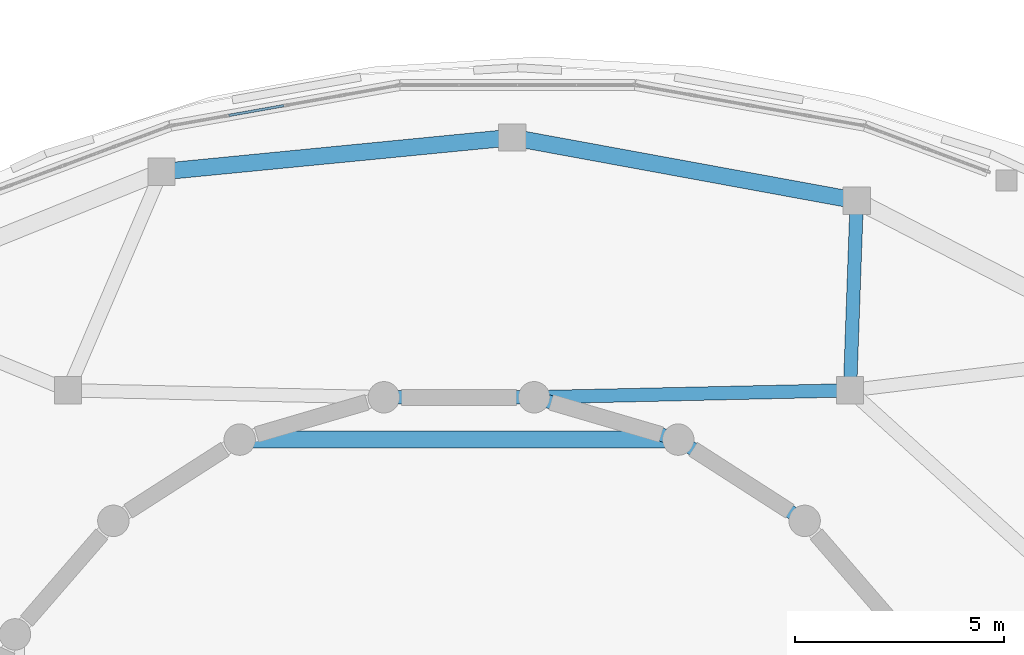
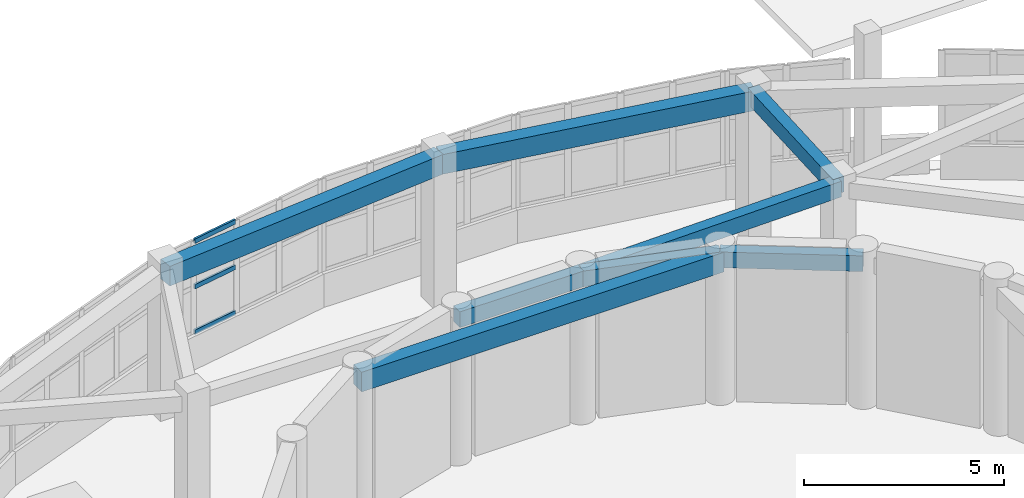
# One storey, part 59 of 105: 8 beams, 3 members, 1 element without a shape of its own.
"""IFC4 building model written with IfcOpenShell, lengths in metres."""

from ifc_helpers import new_model, si_unit, direction, frame, origin, origin_2d, place, context, subcontext, project, spatial, rectangle, hollow_rectangle, extrude, material, layer, layer_set, material_profile, profile_set, type_object, element, aggregate, save


model = new_model("IFC4")

# Units and contexts
model_context = context("Model", 3, precision=1e-05, world=origin(), true_north=direction((0.0, 1.0)))
body_context = subcontext(model_context, "Body", "Model", "MODEL_VIEW")
ifc_project = project(units=[si_unit("LENGTHUNIT", "METRE"), si_unit("AREAUNIT", "SQUARE_METRE"), si_unit("VOLUMEUNIT", "CUBIC_METRE"), si_unit("PLANEANGLEUNIT", "RADIAN"), si_unit("MASSUNIT", "GRAM", prefix="KILO")], contexts=[model_context])

# Site, building, storey
site_placement = place(None, origin())
site = spatial("IfcSite", under=ifc_project, at=site_placement, CompositionType="ELEMENT")
building_placement = place(site_placement, origin())
building = spatial("IfcBuilding", under=site, at=building_placement, Name="Pelvatis Terrace Science Centre", CompositionType="ELEMENT")
storey_placement = place(building_placement, frame((0.0, 0.0, 10.199951171875)))
storey = spatial("IfcBuildingStorey", under=building, at=storey_placement, Name="L02", CompositionType="ELEMENT", Elevation=10.199951171875)

# Beams
ifc_material_1 = material(Name="Concrete C35/45", Category="concrete")
ifc_material_profile_1 = material_profile(ifc_material_1, rectangle(XDim=0.320068359375, YDim=0.47998046875, at=origin_2d()), Name="RC-BM 320x480")
ifc_profile_set_1 = profile_set([ifc_material_profile_1], Name="Concrete C35/45")
beam_type_1 = type_object("IfcBeamType", Name="BM-RC-320x480", PredefinedType="BEAM", material=ifc_profile_set_1)
beam_1_placement = place(storey_placement, frame((117.451171875, 95.322509765625, 4.300048828125), z_axis=(-0.841253667692, 0.540640607607, 0.0), x_axis=(-0.540640607607, -0.841253667692, 0.0)))
element("IfcBeam", 1, at=beam_1_placement, inside=storey, type_object=beam_type_1, Name="Beam BM-L02-2850", PredefinedType="BEAM", context=body_context, shape_type="SweptSolid", body=[
    extrude(rectangle(XDim=0.320068359375, YDim=0.47998046875, at=origin_2d()), origin(), (0.0, 0.0, 1.0), 3.58642578125),
])
beam_2_placement = place(storey_placement, frame((114.43408203125, 97.261474609375, 4.300048828125), z_axis=(-0.959499815423, 0.281709254734, 0.0), x_axis=(-0.281709254734, -0.959499815423, 0.0)))
element("IfcBeam", 2, at=beam_2_placement, inside=storey, type_object=beam_type_1, Name="Beam BM-L02-2851", PredefinedType="BEAM", context=body_context, shape_type="SweptSolid", body=[
    extrude(rectangle(XDim=0.320068359375, YDim=0.47998046875, at=origin_2d()), origin(), (0.0, 0.0, 1.0), 3.586181640625),
])
beam_3_placement = place(storey_placement, frame((110.9931640625, 98.271728515625, 4.300048828125), z_axis=(-1.0, 0.0, 0.0), x_axis=(0.0, -1.0, 0.0)))
element("IfcBeam", 3, at=beam_3_placement, inside=storey, type_object=beam_type_1, Name="Beam BM-L02-2853", PredefinedType="BEAM", context=body_context, shape_type="SweptSolid", body=[
    extrude(rectangle(XDim=0.320068359375, YDim=0.47998046875, at=origin_2d()), origin(), (0.0, 0.0, 1.0), 3.58642578125),
])
beam_4_placement = place(storey_placement, frame((110.9931640625, 98.271728515625, 4.300048828125), z_axis=(0.999756299377, 0.022075820636, 0.0), x_axis=(-0.022075820636, 0.999756299377, 0.0)))
element("IfcBeam", 4, at=beam_4_placement, inside=storey, type_object=beam_type_1, Name="Beam BM-L02-2854", PredefinedType="BEAM", context=body_context, shape_type="SweptSolid", body=[
    extrude(rectangle(XDim=0.320068359375, YDim=0.47998046875, at=origin_2d()), origin(), (0.0, 0.0, 1.0), 7.54248046875),
])
beam_5_placement = place(storey_placement, frame((118.69482421875, 102.9658203125, 4.300048828125), z_axis=(-0.035566590656, -0.999367308665, 0.0), x_axis=(0.999367308665, -0.035566590656, 0.0)))
element("IfcBeam", 5, at=beam_5_placement, inside=storey, type_object=beam_type_1, Name="Beam BM-L02-2901", PredefinedType="BEAM", context=body_context, shape_type="SweptSolid", body=[
    extrude(rectangle(XDim=0.320068359375, YDim=0.47998046875, at=origin_2d()), origin(), (0.0, 0.0, 1.0), 4.530517578125),
])
ifc_material_2 = material(Name="Concrete C35/45", Category="concrete")
ifc_material_profile_2 = material_profile(ifc_material_2, rectangle(XDim=0.39990234375, YDim=0.60009765625, at=origin_2d()), Name="RC-BM 400x600")
ifc_profile_set_2 = profile_set([ifc_material_profile_2], Name="Concrete C35/45")
beam_type_2 = type_object("IfcBeamType", Name="BM-RC-400x600", PredefinedType="BEAM", material=ifc_profile_set_2)
beam_6_placement = place(storey_placement, frame((114.43408203125, 97.261474609375, 4.239990234375), z_axis=(-1.0, 0.0, 0.0), x_axis=(0.0, -1.0, 0.0)))
element("IfcBeam", 6, at=beam_6_placement, inside=storey, type_object=beam_type_2, Name="Beam BM-L02-2852", PredefinedType="BEAM", context=body_context, shape_type="SweptSolid", body=[
    extrude(rectangle(XDim=0.39990234375, YDim=0.60009765625, at=origin_2d()), origin(), (0.0, 0.0, 1.0), 10.46826171875),
])
beam_7_placement = place(storey_placement, frame((118.69482421875, 102.9658203125, 4.239990234375), z_axis=(-0.983601549943, 0.180355179991, 0.0), x_axis=(-0.180355179991, -0.983601549943, 0.0)))
element("IfcBeam", 7, at=beam_7_placement, inside=storey, type_object=beam_type_2, Name="Beam BM-L02-2900", PredefinedType="BEAM", context=body_context, shape_type="SweptSolid", body=[
    extrude(rectangle(XDim=0.39990234375, YDim=0.60009765625, at=origin_2d()), origin(), (0.0, 0.0, 1.0), 8.3603515625),
])
beam_8_placement = place(storey_placement, frame((110.4716796875, 104.4736328125, 4.239990234375), z_axis=(-0.995278052194, -0.097064920652, 0.0), x_axis=(0.097064920652, -0.995278052194, 0.0)))
element("IfcBeam", 8, at=beam_8_placement, inside=storey, type_object=beam_type_2, Name="Beam BM-L02-2902", PredefinedType="BEAM", context=body_context, shape_type="SweptSolid", body=[
    extrude(rectangle(XDim=0.39990234375, YDim=0.60009765625, at=origin_2d()), origin(), (0.0, 0.0, 1.0), 8.416015625),
])

# Curtain wall, members
ifc_material_3 = material(Name="Bronze-anodised aluminium and laminated glass", Category="aluminium")
ifc_layer = layer(ifc_material_3, 0.179931640625)
ifc_layer_set = layer_set([ifc_layer], Name="Bronze-anodised aluminium and laminated glass")
curtain_wall_type = type_object("IfcCurtainWallType", Name="CW-RIBBON-A", PredefinedType="NOTDEFINED", material=ifc_layer_set)
curtain_wall_placement = place(storey_placement, origin())
curtain_wall = element("IfcCurtainWall", 9, at=curtain_wall_placement, inside=storey, type_object=curtain_wall_type, Name="Ribbon curtain wall CW-162 (L02)", PredefinedType="NOTDEFINED")
ifc_material_4 = material(Name="Bronze-anodised aluminium 6063-T6", Category="aluminium")
ifc_material_profile_3 = material_profile(ifc_material_4, hollow_rectangle(XDim=0.06005859375, YDim=0.139892578125, WallThickness=0.00390625, at=origin_2d()), Name="ALU-TRN 60x140")
ifc_profile_set_3 = profile_set([ifc_material_profile_3], Name="Bronze-anodised aluminium 6063-T6")
member_type = type_object("IfcMemberType", Name="CWT-60x140", PredefinedType="USERDEFINED", material=ifc_profile_set_3)
member_1_placement = place(storey_placement, frame((105.0185546875, 105.23388671875, 1.050048828125), z_axis=(-0.984576521425, -0.174954489681, 0.0), x_axis=(0.174954489681, -0.984576521425, 0.0)))
member_1 = element("IfcMember", 10, at=member_1_placement, type_object=member_type, Name="CW-162 transom 3.1", ObjectType="TRANSOM", PredefinedType="USERDEFINED", context=body_context, shape_type="SweptSolid", body=[
    extrude(hollow_rectangle(XDim=0.06005859375, YDim=0.139892578125, WallThickness=0.00390625, at=origin_2d()), origin(), (0.0, 0.0, 1.0), 1.333984375),
])
member_2_placement = place(storey_placement, frame((105.0185546875, 105.23388671875, 2.43994140625), z_axis=(-0.984576521425, -0.174954489681, 0.0), x_axis=(0.174954489681, -0.984576521425, 0.0)))
member_2 = element("IfcMember", 11, at=member_2_placement, type_object=member_type, Name="CW-162 transom 3.2", ObjectType="TRANSOM", PredefinedType="USERDEFINED", context=body_context, shape_type="SweptSolid", body=[
    extrude(hollow_rectangle(XDim=0.06005859375, YDim=0.139892578125, WallThickness=0.00390625, at=origin_2d()), origin(), (0.0, 0.0, 1.0), 1.333984375),
])
member_3_placement = place(storey_placement, frame((105.0185546875, 105.23388671875, 3.830078125), z_axis=(-0.984576521425, -0.174954489681, 0.0), x_axis=(0.174954489681, -0.984576521425, 0.0)))
member_3 = element("IfcMember", 12, at=member_3_placement, type_object=member_type, Name="CW-162 transom 3.3", ObjectType="TRANSOM", PredefinedType="USERDEFINED", context=body_context, shape_type="SweptSolid", body=[
    extrude(hollow_rectangle(XDim=0.06005859375, YDim=0.139892578125, WallThickness=0.00390625, at=origin_2d()), origin(), (0.0, 0.0, 1.0), 1.333984375),
])
aggregate(curtain_wall, [member_1, member_2, member_3])

save(model, "model.ifc")
